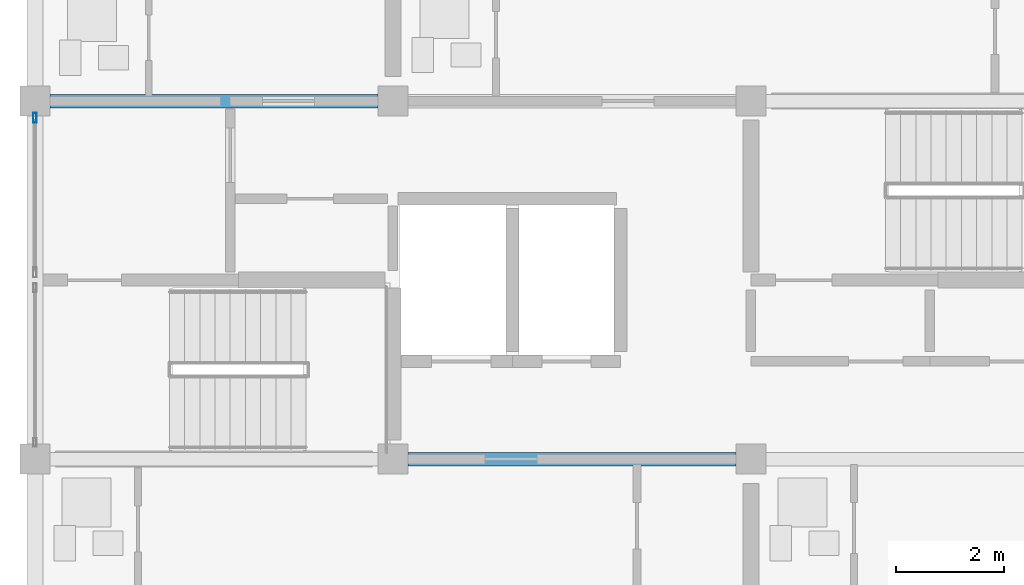
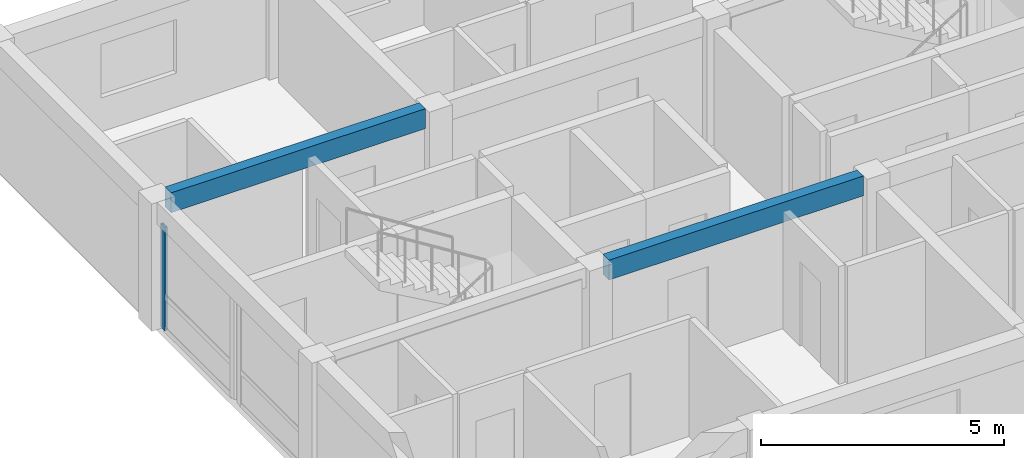
# One storey, part 16 of 45: 2 beams, 1 member, 1 element without a shape of its own.
"""IFC4 building model written with IfcOpenShell, lengths in metres."""

from ifc_helpers import new_model, si_unit, direction, frame, origin, origin_2d, place, context, subcontext, project, spatial, rectangle, hollow_rectangle, extrude, material, material_profile, profile_set, type_object, element, aggregate, save


model = new_model("IFC4")

# Units and contexts
model_context = context("Model", 3, precision=1e-05, world=origin(), true_north=direction((0.0, 1.0)))
body_context = subcontext(model_context, "Body", "Model", "MODEL_VIEW")
ifc_project = project(units=[si_unit("LENGTHUNIT", "METRE"), si_unit("AREAUNIT", "SQUARE_METRE"), si_unit("VOLUMEUNIT", "CUBIC_METRE"), si_unit("PLANEANGLEUNIT", "RADIAN"), si_unit("MASSUNIT", "GRAM", prefix="KILO")], contexts=[model_context])

# Site, building, storey
site_placement = place(None, origin())
site = spatial("IfcSite", under=ifc_project, at=site_placement, CompositionType="ELEMENT")
building_placement = place(site_placement, origin())
building = spatial("IfcBuilding", under=site, at=building_placement, Name="Kernevlak Ridge Housing Community", CompositionType="ELEMENT")
storey_placement = place(building_placement, frame((0.0, 0.0, 14.800048828125)))
storey = spatial("IfcBuildingStorey", under=building, at=storey_placement, Name="L04", CompositionType="ELEMENT", Elevation=14.800048828125)

# Beams
ifc_material_1 = material(Name="Concrete C35/45", Category="concrete")
ifc_material_profile_1 = material_profile(ifc_material_1, rectangle(XDim=0.25, YDim=0.5, at=origin_2d()), Name="RC 250x500")
ifc_profile_set_1 = profile_set([ifc_material_profile_1], Name="Concrete C35/45")
beam_type = type_object("IfcBeamType", Name="B-06", PredefinedType="T_BEAM", material=ifc_profile_set_1)
beam_1_placement = place(storey_placement, frame((22.47509765625, 82.60009765625, 2.949951171875), z_axis=(1.0, 0.0, 0.0), x_axis=(0.0, 1.0, 0.0)))
element("IfcBeam", 1, at=beam_1_placement, inside=storey, type_object=beam_type, Name="Beam B-06 L04 167", PredefinedType="T_BEAM", context=body_context, shape_type="SweptSolid", body=[
    extrude(rectangle(XDim=0.25, YDim=0.5, at=origin_2d()), origin(), (0.0, 0.0, 1.0), 6.0498046875),
])
beam_2_placement = place(storey_placement, frame((15.875, 89.199951171875, 2.949951171875), z_axis=(1.0, 0.0, 0.0), x_axis=(0.0, 1.0, 0.0)))
element("IfcBeam", 2, at=beam_2_placement, inside=storey, type_object=beam_type, Name="Beam B-06 L04 171", PredefinedType="T_BEAM", context=body_context, shape_type="SweptSolid", body=[
    extrude(rectangle(XDim=0.25, YDim=0.5, at=origin_2d()), origin(), (0.0, 0.0, 1.0), 6.050048828125),
])

# Curtain wall, member
ifc_material_2 = material(Name="Aluminium EN AW-6060 anodised and laminated glass", Category="aluminium")
curtain_wall_type = type_object("IfcCurtainWallType", Name="CW-08", PredefinedType="NOTDEFINED", material=ifc_material_2)
curtain_wall_placement = place(storey_placement, origin())
curtain_wall = element("IfcCurtainWall", 3, at=curtain_wall_placement, inside=storey, type_object=curtain_wall_type, Name="Curtain wall CW-08 CW-L04-014", PredefinedType="NOTDEFINED")
ifc_material_3 = material(Name="Aluminium EN AW-6060 anodised", Category="aluminium")
ifc_material_profile_2 = material_profile(ifc_material_3, hollow_rectangle(XDim=0.06494140625, YDim=0.179931640625, WallThickness=0.00439453125, InnerFilletRadius=0.001953125, OuterFilletRadius=0.00439453125, at=origin_2d()), Name="ALU 65x180x4.5")
ifc_profile_set_2 = profile_set([ifc_material_profile_2], Name="Aluminium EN AW-6060 anodised")
member_type = type_object("IfcMemberType", Name="MU-03", PredefinedType="MULLION", material=ifc_profile_set_2)
member_placement = place(storey_placement, frame((15.60009765625, 88.892578125, 0.0), z_axis=(0.0, 0.0, 1.0), x_axis=(-1.0, 0.0, 0.0)))
member = element("IfcMember", 4, at=member_placement, type_object=member_type, Name="CW-08 mullion 2", PredefinedType="MULLION", context=body_context, shape_type="SweptSolid", body=[
    extrude(hollow_rectangle(XDim=0.06494140625, YDim=0.179931640625, WallThickness=0.00439453125, InnerFilletRadius=0.001953125, OuterFilletRadius=0.00439453125, at=origin_2d()), origin(), (0.0, 0.0, 1.0), 2.599853515625),
])
aggregate(curtain_wall, [member])

save(model, "model.ifc")
